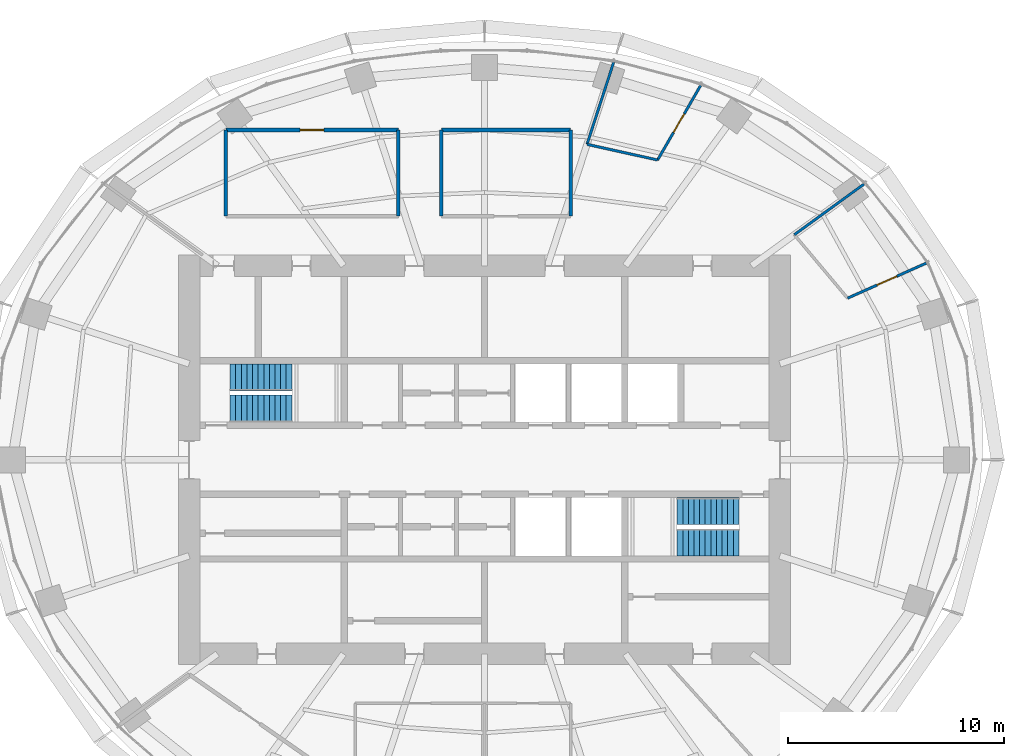
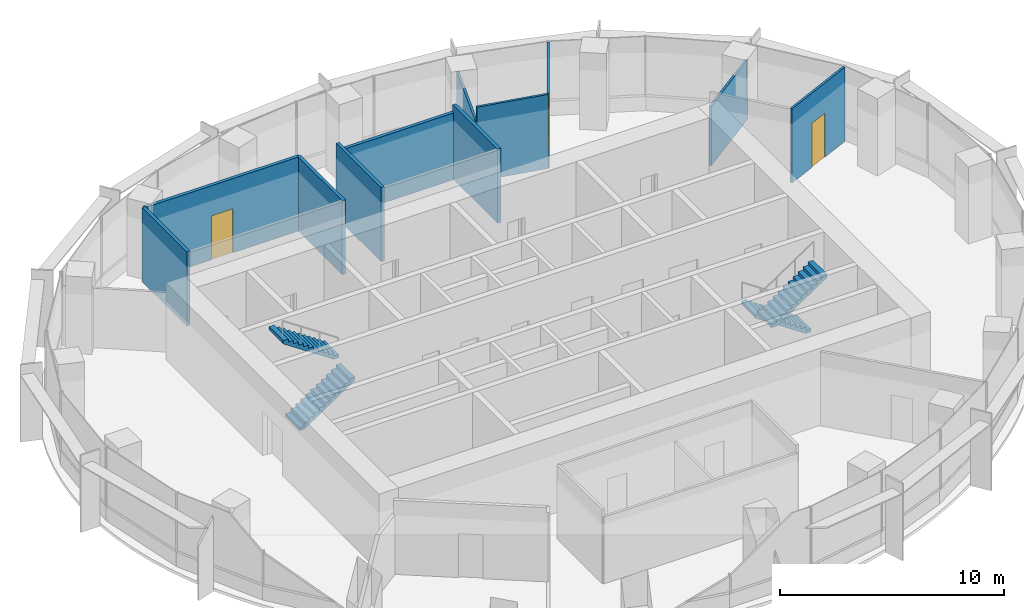
# One storey, part 11 of 13: 11 walls, 4 stair flights, 3 doors, 3 openings, 2 elements without a shape of their own.
"""IFC4 building model written with IfcOpenShell, lengths in metres."""

from ifc_helpers import new_model, si_unit, direction, frame, frame_2d, origin, place, context, subcontext, project, spatial, polyline, rectangle, outline, extrude, material, layer, layer_set, type_object, element, fill, aggregate, save


model = new_model("IFC4")

# Units and contexts
model_context = context("Model", 3, precision=1e-05, world=origin(), true_north=direction((0.0, 1.0)))
body_context = subcontext(model_context, "Body", "Model", "MODEL_VIEW")
ifc_project = project(units=[si_unit("LENGTHUNIT", "METRE"), si_unit("AREAUNIT", "SQUARE_METRE"), si_unit("VOLUMEUNIT", "CUBIC_METRE"), si_unit("PLANEANGLEUNIT", "RADIAN"), si_unit("MASSUNIT", "GRAM", prefix="KILO")], contexts=[model_context])

# Site, building, storey
site_placement = place(None, origin())
site = spatial("IfcSite", under=ifc_project, at=site_placement, CompositionType="ELEMENT")
building_placement = place(site_placement, origin())
building = spatial("IfcBuilding", under=site, at=building_placement, Name="Marramba Exchange Tower", CompositionType="ELEMENT")
storey_placement = place(building_placement, frame((0.0, 0.0, 264.39990234375)))
storey = spatial("IfcBuildingStorey", under=building, at=storey_placement, Name="L64", CompositionType="ELEMENT", Elevation=264.39990234375)

# Walls
ifc_material_1 = material(Name="Plasterboard on staggered double steel studs, acoustic insulation", Category="steel")
ifc_layer_1 = layer(ifc_material_1, 0.169921875)
ifc_layer_set_1 = layer_set([ifc_layer_1], Name="Acoustic partition 170")
wall_type_1 = type_object("IfcWallType", Name="Acoustic partition 170", PredefinedType="PARTITIONING", material=ifc_layer_set_1)
wall_1_placement = place(storey_placement, frame((4.0, 15.300048828125, 0.0), z_axis=(0.0, 0.0, 1.0), x_axis=(0.0, -1.0, 0.0)))
element("IfcWall", 1, at=wall_1_placement, inside=storey, type_object=wall_type_1, Name="Acoustic partition L64 16", PredefinedType="PARTITIONING", context=body_context, shape_type="SweptSolid", body=[
    extrude(rectangle(XDim=4.0, YDim=0.169921875, at=frame_2d((2.0, 0.0))), origin(), (0.0, 0.0, 1.0), 4.0400390625),
])
wall_2_placement = place(storey_placement, frame((-2.0, 15.300048828125, 0.0), z_axis=(0.0, 0.0, 1.0), x_axis=(1.0, 0.0, 0.0)))
element("IfcWall", 2, at=wall_2_placement, inside=storey, type_object=wall_type_1, Name="Acoustic partition L64 18", PredefinedType="PARTITIONING", context=body_context, shape_type="SweptSolid", body=[
    extrude(rectangle(XDim=6.0, YDim=0.169921875, at=frame_2d((3.0, 0.0))), origin(), (0.0, 0.0, 1.0), 3.63720703125),
])
for number, where, z_axis, x_axis, name in (
    (3, (-2.0, 11.300048828125, 0.0), (0.0, 0.0, 1.0), (0.0, 1.0, 0.0), "Acoustic partition L64 19"),
    (4, (-4.0, 15.300048828125, 0.0), (0.0, 0.0, 1.0), (0.0, -1.0, 0.0), "Acoustic partition L64 20"),
):
    element("IfcWall", number, at=place(storey_placement, frame(where, z_axis=z_axis, x_axis=x_axis)), inside=storey, type_object=wall_type_1, Name=name, PredefinedType="PARTITIONING", context=body_context, shape_type="SweptSolid", body=[
        extrude(rectangle(XDim=4.0, YDim=0.169921875, at=frame_2d((2.0, 0.0))), origin(), (0.0, 0.0, 1.0), 4.0400390625),
    ])

# Wall, opening, door
wall_3_placement = place(storey_placement, frame((-12.0, 15.300048828125, 0.0), z_axis=(0.0, 0.0, 1.0), x_axis=(1.0, 0.0, 0.0)))
wall_3 = element("IfcWall", 5, at=wall_3_placement, inside=storey, type_object=wall_type_1, Name="Acoustic partition L64 21", PredefinedType="PARTITIONING", context=body_context, shape_type="SweptSolid", body=[
    extrude(rectangle(XDim=8.0, YDim=0.169921875, at=frame_2d((4.0, 0.0))), origin(), (0.0, 0.0, 1.0), 4.0400390625),
])
opening_1_placement = place(wall_3_placement, frame((3.449951171875, 0.0, 0.0)))
opening_1 = element("IfcOpeningElement", 6, at=opening_1_placement, cuts=wall_3, Name="Opening D15", PredefinedType="OPENING", context=body_context, shape_type="SweptSolid", body=[
    extrude(rectangle(XDim=1.10009765625, YDim=2.39990234375, at=frame_2d((0.550048828125, 1.199951171875))), frame((0.0, 0.094970703125, 0.0), z_axis=(0.0, -1.0, 0.0), x_axis=(1.0, 0.0, 0.0)), (0.0, 0.0, 1.0), 0.18994140625),
])
ifc_material_2 = material(Name="Timber door", Category="wood")
door_type_1 = type_object("IfcDoorType", Name="Glazed meeting room door 1100x2400", OperationType="SINGLE_SWING_LEFT", PredefinedType="DOOR", material=ifc_material_2)
door_1_placement = place(opening_1_placement, frame((1.10009765625, 0.0, 0.0), z_axis=(0.0, 0.0, 1.0), x_axis=(-1.0, 0.0, 0.0)))
door_1 = element("IfcDoor", 7, at=door_1_placement, inside=storey, type_object=door_type_1, Name="D15 Meeting Room 1 L64", OperationType="SINGLE_SWING_RIGHT", OverallHeight=2.39990234375, OverallWidth=1.10009765625, PredefinedType="DOOR", context=body_context, shape_type="SweptSolid", body=[
    extrude(rectangle(XDim=1.10009765625, YDim=2.39990234375, at=frame_2d((0.550048828125, 1.199951171875))), frame((0.0, 0.025146484375, 0.0), z_axis=(0.0, -1.0, 0.0), x_axis=(1.0, 0.0, 0.0)), (0.0, 0.0, 1.0), 0.050048828125),
])
fill(opening_1, door_1)

# Wall
wall_4_placement = place(storey_placement, frame((-12.0, 11.300048828125, 0.0), z_axis=(0.0, 0.0, 1.0), x_axis=(0.0, 1.0, 0.0)))
element("IfcWall", 8, at=wall_4_placement, inside=storey, type_object=wall_type_1, Name="Acoustic partition L64 23", PredefinedType="PARTITIONING", context=body_context, shape_type="SweptSolid", body=[
    extrude(rectangle(XDim=4.0, YDim=0.169921875, at=frame_2d((2.0, 0.0))), origin(), (0.0, 0.0, 1.0), 4.0400390625),
])

# Wall, opening, door
ifc_material_3 = material(Name="Plasterboard on steel studs", Category="steel")
ifc_layer_2 = layer(ifc_material_3, 0.1201171875)
ifc_layer_set_2 = layer_set([ifc_layer_2], Name="Partition 120")
wall_type_2 = type_object("IfcWallType", Name="Partition 120", PredefinedType="PARTITIONING", material=ifc_layer_set_2)
wall_5_placement = place(storey_placement, frame((16.84228515625, 7.498779296875, 0.0), z_axis=(0.0, 0.0, 1.0), x_axis=(0.913549606868, 0.406727323635, 0.0)))
wall_5 = element("IfcWall", 9, at=wall_5_placement, inside=storey, type_object=wall_type_2, Name="Partition L64 10", PredefinedType="PARTITIONING", context=body_context, shape_type="SweptSolid", body=[
    extrude(rectangle(XDim=4.0, YDim=0.1201171875, at=frame_2d((2.0, 0.0))), origin(), (0.0, 0.0, 1.0), 4.0400390625),
])
opening_2_placement = place(wall_5_placement, frame((1.5, 0.0, 0.0)))
opening_2 = element("IfcOpeningElement", 10, at=opening_2_placement, cuts=wall_5, Name="Opening D9", PredefinedType="OPENING", context=body_context, shape_type="SweptSolid", body=[
    extrude(rectangle(XDim=1.0, YDim=2.39990234375, at=frame_2d((0.5, 1.199951171875))), frame((0.0, 0.070068359375, 0.0), z_axis=(0.0, -1.0, 0.0), x_axis=(1.0, 0.0, 0.0)), (0.0, 0.0, 1.0), 0.14013671875),
])
door_type_2 = type_object("IfcDoorType", Name="Room door 1000x2400", OperationType="SINGLE_SWING_LEFT", PredefinedType="DOOR", material=ifc_material_2)
door_2_placement = place(opening_2_placement, origin())
door_2 = element("IfcDoor", 11, at=door_2_placement, inside=storey, type_object=door_type_2, Name="D9 Executive Office 2 L64", OperationType="SINGLE_SWING_RIGHT", OverallHeight=2.39990234375, OverallWidth=1.0, PredefinedType="DOOR", context=body_context, shape_type="SweptSolid", body=[
    extrude(rectangle(XDim=1.0, YDim=2.39990234375, at=frame_2d((0.5, 1.199951171875))), frame((0.0, 0.02490234375, 0.0), z_axis=(0.0, -1.0, 0.0), x_axis=(1.0, 0.0, 0.0)), (0.0, 0.0, 1.0), 0.050048828125),
])
fill(opening_2, door_2)

# Wall
wall_6_placement = place(storey_placement, frame((17.608642578125, 12.79345703125, 0.0), z_axis=(0.0, 0.0, 1.0), x_axis=(-0.809026317077, -0.587772420479, 0.0)))
element("IfcWall", 12, at=wall_6_placement, inside=storey, type_object=wall_type_2, Name="Partition L64 12", PredefinedType="PARTITIONING", context=body_context, shape_type="SweptSolid", body=[
    extrude(rectangle(XDim=4.0, YDim=0.1201171875, at=frame_2d((2.0, 0.0))), origin(), (0.0, 0.0, 1.0), 3.239990234375),
])

# Wall, opening, door
wall_7_placement = place(storey_placement, frame((8.030517578125, 13.909423828125, 0.0), z_axis=(0.0, 0.0, 1.0), x_axis=(0.49999894854, 0.866026010844, 0.0)))
wall_7 = element("IfcWall", 13, at=wall_7_placement, inside=storey, type_object=wall_type_2, Name="Partition L64 13", PredefinedType="PARTITIONING", context=body_context, shape_type="SweptSolid", body=[
    extrude(rectangle(XDim=4.0, YDim=0.1201171875, at=frame_2d((2.0, 0.0))), origin(), (0.0, 0.0, 1.0), 4.0400390625),
])
opening_3_placement = place(wall_7_placement, frame((1.47412109375, 0.0, 0.0)))
opening_3 = element("IfcOpeningElement", 14, at=opening_3_placement, cuts=wall_7, Name="Opening D9", PredefinedType="OPENING", context=body_context, shape_type="SweptSolid", body=[
    extrude(rectangle(XDim=1.0, YDim=2.39990234375, at=frame_2d((0.5, 1.199951171875))), frame((0.0, 0.070068359375, 0.0), z_axis=(0.0, -1.0, 0.0), x_axis=(1.0, 0.0, 0.0)), (0.0, 0.0, 1.0), 0.14013671875),
])
door_3_placement = place(opening_3_placement, origin())
door_3 = element("IfcDoor", 15, at=door_3_placement, inside=storey, type_object=door_type_2, Name="D9 Executive Office 1 L64", OperationType="SINGLE_SWING_RIGHT", OverallHeight=2.39990234375, OverallWidth=1.0, PredefinedType="DOOR", context=body_context, shape_type="SweptSolid", body=[
    extrude(rectangle(XDim=1.0, YDim=2.39990234375, at=frame_2d((0.5, 1.199951171875))), frame((0.0, 0.02490234375, 0.0), z_axis=(0.0, -1.0, 0.0), x_axis=(1.0, 0.0, 0.0)), (0.0, 0.0, 1.0), 0.050048828125),
])
fill(opening_3, door_3)

# Walls
wall_8_placement = place(storey_placement, frame((4.755615234375, 14.63671875, 0.0), z_axis=(0.0, 0.0, 1.0), x_axis=(0.976216161762, -0.216799459213, 0.0)))
element("IfcWall", 16, at=wall_8_placement, inside=storey, type_object=wall_type_2, Name="Partition L64 14", PredefinedType="PARTITIONING", context=body_context, shape_type="SweptSolid", body=[
    extrude(rectangle(XDim=3.354736328125, YDim=0.1201171875, at=frame_2d((1.67724609375, 0.0))), origin(), (0.0, 0.0, 1.0), 4.0400390625),
])
wall_9_placement = place(storey_placement, frame((5.99169921875, 18.44091796875, 0.0), z_axis=(0.0, 0.0, 1.0), x_axis=(-0.309022586479, -0.951054699292, 0.0)))
element("IfcWall", 17, at=wall_9_placement, inside=storey, type_object=wall_type_2, Name="Partition L64 15", PredefinedType="PARTITIONING", context=body_context, shape_type="SweptSolid", body=[
    extrude(rectangle(XDim=4.0, YDim=0.1201171875, at=frame_2d((2.0, 0.0))), origin(), (0.0, 0.0, 1.0), 3.239990234375),
])

# Stair, stair flights
ifc_material_4 = material(Name="Concrete N40 (40 MPa)", Category="concrete")
stair_type_1 = type_object("IfcStairType", Name="Exit stair ST1 4200 x 1250", PredefinedType="HALF_TURN_STAIR", material=ifc_material_4)
stair_1_placement = place(storey_placement, origin())
stair_1 = element("IfcStair", 18, at=stair_1_placement, inside=storey, type_object=stair_type_1, Name="Exit stair ST1 L64", PredefinedType="HALF_TURN_STAIR")
stair_flight_type_1 = type_object("IfcStairFlightType", Name="ST1 stair flight 1750 riser 1250 wide", PredefinedType="STRAIGHT", material=ifc_material_4)
stair_flight_1_placement = place(storey_placement, frame((-11.800048828125, 2.375, 0.0), z_axis=(0.0, 0.0, 1.0), x_axis=(1.0, 0.0, 0.0)))
stair_flight_1 = element("IfcStairFlight", 19, at=stair_flight_1_placement, type_object=stair_flight_type_1, Name="ST1 flight 1", NumberOfRisers=12, NumberOfTreads=11, PredefinedType="STRAIGHT", RiserHeight=0.175, TreadLength=0.26, context=body_context, shape_type="SweptSolid", body=[
    extrude(outline(polyline([(0.0, 0.0), (0.0, 0.175048828125), (0.260009765625, 0.175048828125), (0.260009765625, 0.35009765625), (0.52001953125, 0.35009765625), (0.52001953125, 0.52490234375), (0.780029296875, 0.52490234375), (0.780029296875, 0.699951171875), (1.0400390625, 0.699951171875), (1.0400390625, 0.875), (1.300048828125, 0.875), (1.300048828125, 1.050048828125), (1.56005859375, 1.050048828125), (1.56005859375, 1.22509765625), (1.820068359375, 1.22509765625), (1.820068359375, 1.39990234375), (2.080078125, 1.39990234375), (2.080078125, 1.574951171875), (2.340087890625, 1.574951171875), (2.340087890625, 1.75), (2.60009765625, 1.75), (2.60009765625, 1.925048828125), (2.860107421875, 1.925048828125), (2.860107421875, 2.10009765625), (2.860107421875, 1.744384765625), (0.2685546875, 0.0), (0.0, 0.0)])), frame((0.0, 0.625, 0.0), z_axis=(0.0, -1.0, 0.0), x_axis=(1.0, 0.0, 0.0)), (0.0, 0.0, 1.0), 1.25),
])
stair_flight_2_placement = place(storey_placement, frame((-8.93994140625, 3.824951171875, 2.10009765625), z_axis=(0.0, 0.0, 1.0), x_axis=(-1.0, 0.0, 0.0)))
stair_flight_2 = element("IfcStairFlight", 20, at=stair_flight_2_placement, type_object=stair_flight_type_1, Name="ST1 flight 2", NumberOfRisers=12, NumberOfTreads=11, PredefinedType="STRAIGHT", RiserHeight=0.175, TreadLength=0.26, context=body_context, shape_type="SweptSolid", body=[
    extrude(outline(polyline([(0.0, 0.0), (0.0, 0.175048828125), (0.260009765625, 0.175048828125), (0.260009765625, 0.35009765625), (0.52001953125, 0.35009765625), (0.52001953125, 0.52490234375), (0.780029296875, 0.52490234375), (0.780029296875, 0.699951171875), (1.0400390625, 0.699951171875), (1.0400390625, 0.875), (1.300048828125, 0.875), (1.300048828125, 1.050048828125), (1.56005859375, 1.050048828125), (1.56005859375, 1.22509765625), (1.820068359375, 1.22509765625), (1.820068359375, 1.39990234375), (2.080078125, 1.39990234375), (2.080078125, 1.574951171875), (2.340087890625, 1.574951171875), (2.340087890625, 1.75), (2.60009765625, 1.75), (2.60009765625, 1.925048828125), (2.860107421875, 1.925048828125), (2.860107421875, 2.10009765625), (2.860107421875, 1.744384765625), (0.2685546875, 0.0), (0.0, 0.0)])), frame((0.0, 0.625, 0.0), z_axis=(0.0, -1.0, 0.0), x_axis=(1.0, 0.0, 0.0)), (0.0, 0.0, 1.0), 1.25),
])
aggregate(stair_1, [stair_flight_1, stair_flight_2])

stair_type_2 = type_object("IfcStairType", Name="Exit stair ST2 4200 x 1250", PredefinedType="HALF_TURN_STAIR", material=ifc_material_4)
stair_2_placement = place(storey_placement, origin())
stair_2 = element("IfcStair", 21, at=stair_2_placement, inside=storey, type_object=stair_type_2, Name="Exit stair ST2 L64", PredefinedType="HALF_TURN_STAIR")
stair_flight_type_2 = type_object("IfcStairFlightType", Name="ST2 stair flight 1750 riser 1250 wide", PredefinedType="STRAIGHT", material=ifc_material_4)
stair_flight_3_placement = place(storey_placement, frame((11.800048828125, -2.375, 0.0), z_axis=(0.0, 0.0, 1.0), x_axis=(-1.0, 0.0, 0.0)))
stair_flight_3 = element("IfcStairFlight", 22, at=stair_flight_3_placement, type_object=stair_flight_type_2, Name="ST2 flight 1", NumberOfRisers=12, NumberOfTreads=11, PredefinedType="STRAIGHT", RiserHeight=0.175, TreadLength=0.26, context=body_context, shape_type="SweptSolid", body=[
    extrude(outline(polyline([(0.0, 0.0), (0.0, 0.175048828125), (0.260009765625, 0.175048828125), (0.260009765625, 0.35009765625), (0.52001953125, 0.35009765625), (0.52001953125, 0.52490234375), (0.780029296875, 0.52490234375), (0.780029296875, 0.699951171875), (1.0400390625, 0.699951171875), (1.0400390625, 0.875), (1.300048828125, 0.875), (1.300048828125, 1.050048828125), (1.56005859375, 1.050048828125), (1.56005859375, 1.22509765625), (1.820068359375, 1.22509765625), (1.820068359375, 1.39990234375), (2.080078125, 1.39990234375), (2.080078125, 1.574951171875), (2.340087890625, 1.574951171875), (2.340087890625, 1.75), (2.60009765625, 1.75), (2.60009765625, 1.925048828125), (2.860107421875, 1.925048828125), (2.860107421875, 2.10009765625), (2.860107421875, 1.744384765625), (0.2685546875, 0.0), (0.0, 0.0)])), frame((0.0, 0.625, 0.0), z_axis=(0.0, -1.0, 0.0), x_axis=(1.0, 0.0, 0.0)), (0.0, 0.0, 1.0), 1.25),
])
stair_flight_4_placement = place(storey_placement, frame((8.93994140625, -3.824951171875, 2.10009765625), z_axis=(0.0, 0.0, 1.0), x_axis=(1.0, 0.0, 0.0)))
stair_flight_4 = element("IfcStairFlight", 23, at=stair_flight_4_placement, type_object=stair_flight_type_2, Name="ST2 flight 2", NumberOfRisers=12, NumberOfTreads=11, PredefinedType="STRAIGHT", RiserHeight=0.175, TreadLength=0.26, context=body_context, shape_type="SweptSolid", body=[
    extrude(outline(polyline([(0.0, 0.0), (0.0, 0.175048828125), (0.260009765625, 0.175048828125), (0.260009765625, 0.35009765625), (0.52001953125, 0.35009765625), (0.52001953125, 0.52490234375), (0.780029296875, 0.52490234375), (0.780029296875, 0.699951171875), (1.0400390625, 0.699951171875), (1.0400390625, 0.875), (1.300048828125, 0.875), (1.300048828125, 1.050048828125), (1.56005859375, 1.050048828125), (1.56005859375, 1.22509765625), (1.820068359375, 1.22509765625), (1.820068359375, 1.39990234375), (2.080078125, 1.39990234375), (2.080078125, 1.574951171875), (2.340087890625, 1.574951171875), (2.340087890625, 1.75), (2.60009765625, 1.75), (2.60009765625, 1.925048828125), (2.860107421875, 1.925048828125), (2.860107421875, 2.10009765625), (2.860107421875, 1.744384765625), (0.2685546875, 0.0), (0.0, 0.0)])), frame((0.0, 0.625, 0.0), z_axis=(0.0, -1.0, 0.0), x_axis=(1.0, 0.0, 0.0)), (0.0, 0.0, 1.0), 1.25),
])
aggregate(stair_2, [stair_flight_3, stair_flight_4])

save(model, "model.ifc")
